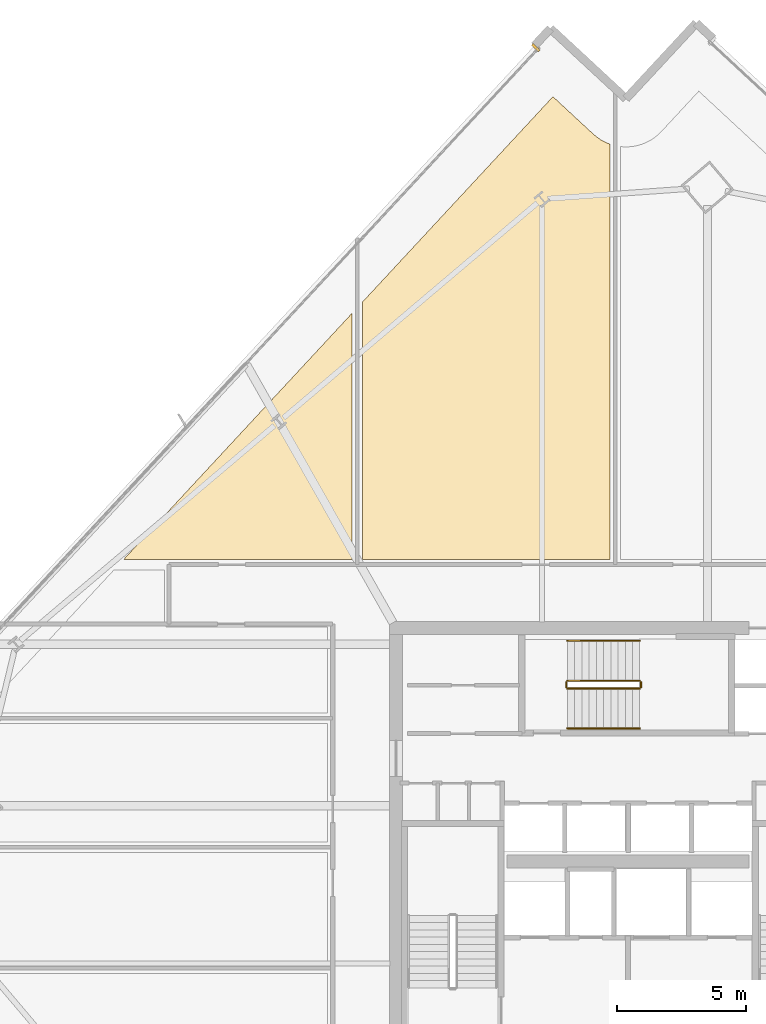
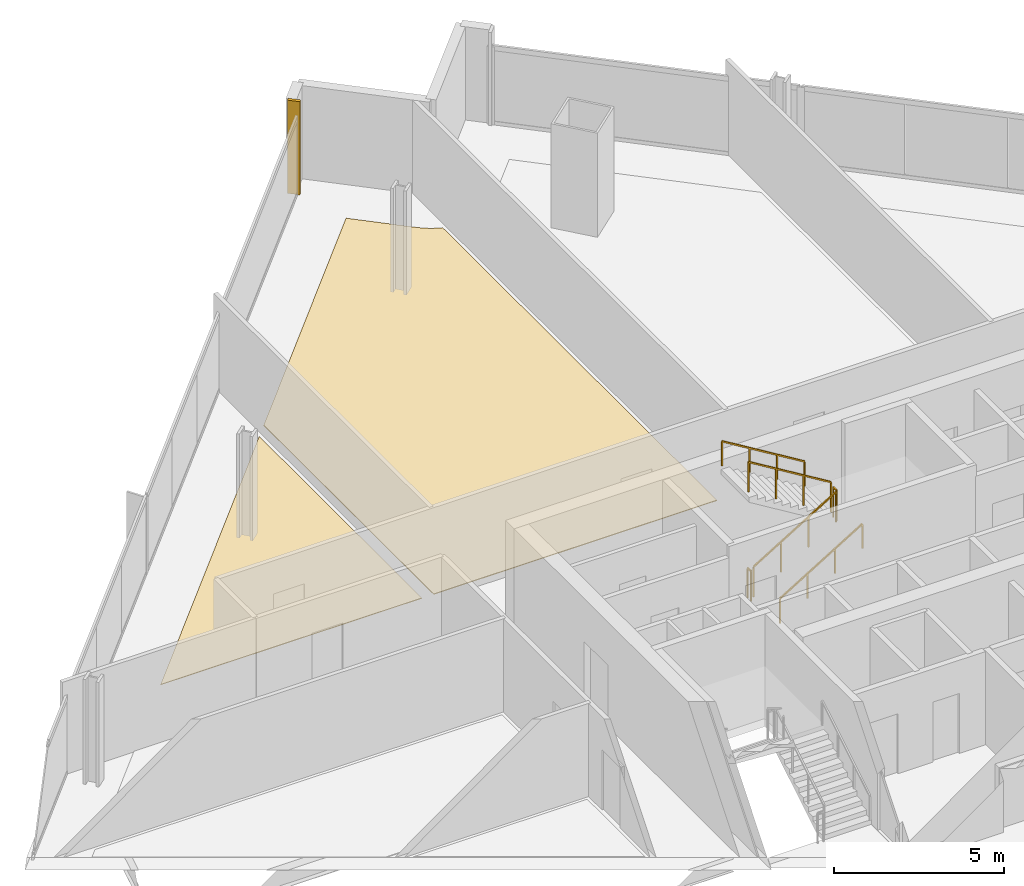
# One storey, part 31 of 32: 6 railings, 3 coverings.
"""IFC4 building model written with IfcOpenShell, lengths in metres."""

import ifcopenshell
import ifcopenshell.guid

model = None  # the IFC model being written
_history = None  # IfcOwnerHistory: only IFC2X3 demands one
_inside = {}  # id of a spatial element -> (the spatial element, [elements in it])
_under = {}  # id of a project, library or spatial element -> (it, [spatial elements below it])
_declared = {}  # id of a project -> (the project, [libraries it declares])
_typed = {}  # id of a type object -> (the type object, [elements of that type])
_made_of = {}  # id of a material, layer set ... -> (it, [elements and type objects made of it])


def new_model(schema):
    """Start an empty IFC model of exactly this schema.

    Asked for "IFC4X3", IfcOpenShell would pick the latest addendum, in which some entities
    have other attributes; the version numbers below select the first issue.
    IFC2X3 requires an IfcOwnerHistory on every rooted entity: one is made here for all.
    """
    global model, _history
    if schema == "IFC4X3":
        model = ifcopenshell.file(schema_version=(4, 3, 0, 0))
    else:
        model = ifcopenshell.file(schema=schema)
    _inside.clear()
    _under.clear()
    _declared.clear()
    _typed.clear()
    _made_of.clear()
    _history = None
    if model.schema == "IFC2X3":
        org = make("IfcOrganization", Name="unknown")
        user = make(
            "IfcPersonAndOrganization",
            ThePerson=make("IfcPerson", FamilyName="unknown"),
            TheOrganization=org,
        )
        app = make(
            "IfcApplication",
            ApplicationDeveloper=org,
            Version="unknown",
            ApplicationFullName="unknown",
            ApplicationIdentifier="unknown",
        )
        _history = make(
            "IfcOwnerHistory",
            OwningUser=user,
            OwningApplication=app,
            ChangeAction="ADDED",
            CreationDate=0,
        )
    return model


def make(cls, **values):
    """One entity of the class cls with the attributes given. An attribute that is None is left unset."""
    return model.create_entity(
        cls, **{name: value for name, value in values.items() if value is not None}
    )


def rooted(cls, **values):
    """An entity with a GlobalId (a new one), such as an element, a storey or a relation."""
    return make(cls, GlobalId=ifcopenshell.guid.new(), OwnerHistory=_history, **values)


def si_unit(unit_type, name, prefix=None):
    """IfcSIUnit, for example si_unit("LENGTHUNIT", "METRE", prefix="MILLI")."""
    return make("IfcSIUnit", UnitType=unit_type, Prefix=prefix, Name=name)


def assignment(units):
    """IfcUnitAssignment: the units of a project."""
    return None if units is None else make("IfcUnitAssignment", Units=units)


def point(xyz):
    """IfcCartesianPoint."""
    return None if xyz is None else make("IfcCartesianPoint", Coordinates=xyz)


def direction(xyz):
    """IfcDirection."""
    return None if xyz is None else make("IfcDirection", DirectionRatios=xyz)


def frame(location, z_axis=None, x_axis=None):
    """IfcAxis2Placement3D, a coordinate frame: its origin and axes. An axis left out is left unset."""
    return make(
        "IfcAxis2Placement3D",
        Location=point(location),
        Axis=direction(z_axis),
        RefDirection=direction(x_axis),
    )


def frame_2d(location, x_axis=None):
    """IfcAxis2Placement2D, a coordinate frame in the plane: its origin and x axis."""
    return make(
        "IfcAxis2Placement2D", Location=point(location), RefDirection=direction(x_axis)
    )


def origin():
    """The frame at (0, 0, 0) with its axes left unset."""
    return frame((0.0, 0.0, 0.0))


def origin_2d():
    """The frame at (0, 0) in the plane with its x axis left unset."""
    return frame_2d((0.0, 0.0))


def place(relative_to, where):
    """IfcLocalPlacement: puts the frame where relative to a parent placement (None: the world)."""
    return make(
        "IfcLocalPlacement", PlacementRelTo=relative_to, RelativePlacement=where
    )


def context(
    kind, dimensions, precision=None, world=None, true_north=None, identifier=None
):
    """IfcGeometricRepresentationContext, for example the 3D "Model" context."""
    return make(
        "IfcGeometricRepresentationContext",
        ContextIdentifier=identifier,
        ContextType=kind,
        CoordinateSpaceDimension=dimensions,
        Precision=precision,
        WorldCoordinateSystem=world,
        TrueNorth=true_north,
    )


def subcontext(parent, identifier, kind, view, scale=None):
    """IfcGeometricRepresentationSubContext, for example "Body" below "Model"."""
    return make(
        "IfcGeometricRepresentationSubContext",
        ContextIdentifier=identifier,
        ContextType=kind,
        ParentContext=parent,
        TargetScale=scale,
        TargetView=view,
    )


def project(units=None, contexts=None):
    """IfcProject with its units and contexts."""
    return rooted(
        "IfcProject",
        Name="project",
        RepresentationContexts=contexts,
        UnitsInContext=assignment(units),
    )


def spatial(cls, under=None, at=None, **own):
    """A site, building, storey or space (cls), placed at a placement, below another one or the project."""
    s = rooted(cls, ObjectPlacement=at, **own)
    if under is not None:
        _under.setdefault(under.id(), (under, []))[1].append(s)
    return s


def polyline(points):
    """IfcPolyline through the points."""
    return make("IfcPolyline", Points=[point(p) for p in points])


def profile(cls, at=None, kind="AREA", **sizes):
    """A parametric profile (cls). Its sizes go by their IFC names, for example OverallWidth=200.0."""
    return make(cls, ProfileType=kind, Position=at, **sizes)


def rectangle(**sizes):
    """IfcRectangleProfileDef."""
    return profile("IfcRectangleProfileDef", **sizes)


def outline(outer, holes=None, kind="AREA"):
    """IfcArbitraryClosedProfileDef: a profile drawn as a closed curve; with holes, ...WithVoids."""
    if holes is None:
        return make("IfcArbitraryClosedProfileDef", ProfileType=kind, OuterCurve=outer)
    return make(
        "IfcArbitraryProfileDefWithVoids",
        ProfileType=kind,
        OuterCurve=outer,
        InnerCurves=holes,
    )


def extrude(swept, where, along, depth):
    """IfcExtrudedAreaSolid: the profile swept, set in the frame where, extruded along a direction by depth."""
    return make(
        "IfcExtrudedAreaSolid",
        SweptArea=swept,
        Position=where,
        ExtrudedDirection=direction(along),
        Depth=depth,
    )


def shape(context_of_items, identifier, shape_type, items):
    """IfcShapeRepresentation: the items that make up one representation, for example the "Body"."""
    return make(
        "IfcShapeRepresentation",
        ContextOfItems=context_of_items,
        RepresentationIdentifier=identifier,
        RepresentationType=shape_type,
        Items=items,
    )


def source(mapping_origin, context_of_items, identifier, shape_type, items):
    """IfcRepresentationMap: a shape defined once, which mapped items show again and again."""
    return make(
        "IfcRepresentationMap",
        MappingOrigin=mapping_origin,
        MappedRepresentation=shape(context_of_items, identifier, shape_type, items),
    )


def transform(
    local_origin,
    x_axis=None,
    y_axis=None,
    z_axis=None,
    scale=None,
    scale2=None,
    scale3=None,
    uniform=True,
):
    """IfcCartesianTransformationOperator3D, or its non-uniform kind. x_axis, y_axis, z_axis: its Axis1, 2, 3."""
    if uniform:
        return make(
            "IfcCartesianTransformationOperator3D",
            Axis1=direction(x_axis),
            Axis2=direction(y_axis),
            LocalOrigin=point(local_origin),
            Scale=scale,
            Axis3=direction(z_axis),
        )
    return make(
        "IfcCartesianTransformationOperator3DnonUniform",
        Axis1=direction(x_axis),
        Axis2=direction(y_axis),
        LocalOrigin=point(local_origin),
        Scale=scale,
        Axis3=direction(z_axis),
        Scale2=scale2,
        Scale3=scale3,
    )


def mapped(mapping_source, mapping_target):
    """IfcMappedItem: shows the shape of a source again, moved by a transform."""
    return make(
        "IfcMappedItem", MappingSource=mapping_source, MappingTarget=mapping_target
    )


def material(Name=None, Category=None):
    """IfcMaterial."""
    return make("IfcMaterial", Name=Name, Category=Category)


def layer(
    of_material, thickness, ventilated=None, Name=None, Category=None, Priority=None
):
    """IfcMaterialLayer: one layer of a wall or slab, of a material (None: an air gap)."""
    return make(
        "IfcMaterialLayer",
        Material=of_material,
        LayerThickness=thickness,
        IsVentilated=ventilated,
        Name=Name,
        Category=Category,
        Priority=Priority,
    )


def layer_set(layers, Name=None):
    """IfcMaterialLayerSet."""
    return make("IfcMaterialLayerSet", MaterialLayers=layers, LayerSetName=Name)


def made_of(thing, what):
    """Note that an element or type object is made of a material, layer set ...; save() writes the relation."""
    if what is not None:
        _made_of.setdefault(what.id(), (what, []))[1].append(thing)
    return thing


def type_object(cls, material=None, **own):
    """A type object (cls), such as IfcWallType, which elements share."""
    return made_of(rooted(cls, **own), material)


def element(
    cls,
    number,
    at=None,
    inside=None,
    cuts=None,
    type_object=None,
    material=None,
    context=None,
    identifier="Body",
    shape_type=None,
    held_by="IfcProductDefinitionShape",
    body=None,
    shapes=None,
    **own,
):
    """One element of the class cls, such as IfcWall. Its Tag is "e" and its number.

    at: its placement. inside: the storey or other place that contains it. cuts: it is an
    opening in that element (IfcRelVoidsElement). A single representation is given by context,
    identifier, shape_type and body (its items); several are given by shapes. held_by: the class
    of the entity that holds the representations. save() writes the other relations.
    """
    e = rooted(cls, Tag="e%d" % number, ObjectPlacement=at, **own)
    if body is not None:
        shapes = [shape(context, identifier, shape_type, body)]
    if shapes is not None:
        e.Representation = make(held_by, Representations=shapes)
    if inside is not None:
        _inside.setdefault(inside.id(), (inside, []))[1].append(e)
    if cuts is not None:
        rooted(
            "IfcRelVoidsElement", RelatingBuildingElement=cuts, RelatedOpeningElement=e
        )
    if type_object is not None:
        _typed.setdefault(type_object.id(), (type_object, []))[1].append(e)
    return made_of(e, material)


def aggregate(whole, parts):
    """IfcRelAggregates: a whole, such as a stair, and the parts it consists of."""
    return rooted("IfcRelAggregates", RelatingObject=whole, RelatedObjects=parts)


def save(model, path):
    """Write the relations noted so far, then the file.

    IfcRelAggregates (storeys below a building ...), IfcRelContainedInSpatialStructure (elements
    in a storey), IfcRelDefinesByType, IfcRelAssociatesMaterial and IfcRelDeclares: one each for
    every whole, place, type object, material and project.
    """
    for whole, parts in _under.values():
        aggregate(whole, parts)
    for where, things in _inside.values():
        rooted(
            "IfcRelContainedInSpatialStructure",
            RelatedElements=things,
            RelatingStructure=where,
        )
    for kind, things in _typed.values():
        rooted("IfcRelDefinesByType", RelatedObjects=things, RelatingType=kind)
    for what, things in _made_of.values():
        rooted("IfcRelAssociatesMaterial", RelatedObjects=things, RelatingMaterial=what)
    for by, libraries in _declared.values():
        rooted("IfcRelDeclares", RelatingContext=by, RelatedDefinitions=libraries)
    model.write(path)


model = new_model("IFC4")

# Units and contexts
model_context = context("Model", 3, precision=1e-05, world=origin(), true_north=direction((0.0, 1.0)))
body_context = subcontext(model_context, "Body", "Model", "MODEL_VIEW")
ifc_project = project(units=[si_unit("LENGTHUNIT", "METRE"), si_unit("AREAUNIT", "SQUARE_METRE"), si_unit("VOLUMEUNIT", "CUBIC_METRE"), si_unit("PLANEANGLEUNIT", "RADIAN"), si_unit("MASSUNIT", "GRAM", prefix="KILO")], contexts=[model_context])

# Site, building, storey
site_placement = place(None, origin())
site = spatial("IfcSite", under=ifc_project, at=site_placement, CompositionType="ELEMENT")
building_placement = place(site_placement, origin())
building = spatial("IfcBuilding", under=site, at=building_placement, Name="Haldenkirk Collegiate Tower", CompositionType="ELEMENT")
storey_placement = place(building_placement, frame((0.0, 0.0, 185.699951171875)))
storey = spatial("IfcBuildingStorey", under=building, at=storey_placement, Name="L46", CompositionType="ELEMENT", Elevation=185.699951171875)

# Coverings
ifc_material_1 = material(Name="Polished collegiate terrazzo", Category="concrete")
ifc_layer_1 = layer(ifc_material_1, 0.02490234375)
ifc_layer_set_1 = layer_set([ifc_layer_1], Name="Polished collegiate terrazzo")
covering_type_1 = type_object("IfcCoveringType", Name="COV-FLOOR-TERRAZZO", PredefinedType="FLOORING", material=ifc_layer_set_1)
covering_1_placement = place(storey_placement, origin())
element("IfcCovering", 1, at=covering_1_placement, inside=storey, type_object=covering_type_1, Name="L46 academic room finish 04", PredefinedType="FLOORING", context=body_context, shape_type="SweptSolid", body=[
    extrude(outline(polyline([(34.6484375, 53.142578125), (34.65283203125, 53.138671875), (34.784423828125, 53.028076171875), (34.793701171875, 53.02099609375), (34.935302734375, 52.924072265625), (34.9453125, 52.917724609375), (35.095947265625, 52.835205078125), (35.1064453125, 52.830078125), (35.264404296875, 52.762451171875), (35.275390625, 52.75830078125), (35.300048828125, 52.75048828125), (35.300048828125, 36.64990234375), (25.699951171875, 36.64990234375), (25.699951171875, 46.6279296875), (33.0869140625, 54.591064453125), (34.6484375, 53.142578125)])), origin(), (0.0, 0.0, 1.0), 0.025146484375),
])
ifc_material_2 = material(Name="Engineered collegiate oak acoustic flooring", Category="wood")
ifc_layer_2 = layer(ifc_material_2, 0.02197265625)
ifc_layer_set_2 = layer_set([ifc_layer_2], Name="Engineered collegiate oak acoustic flooring")
covering_type_2 = type_object("IfcCoveringType", Name="COV-FLOOR-TIMBER", PredefinedType="FLOORING", material=ifc_layer_set_2)
covering_2_placement = place(storey_placement, origin())
element("IfcCovering", 2, at=covering_2_placement, inside=storey, type_object=covering_type_2, Name="L46 academic room finish 03", PredefinedType="FLOORING", context=body_context, shape_type="SweptSolid", body=[
    extrude(outline(polyline([(25.300048828125, 46.19677734375), (25.300048828125, 36.64990234375), (16.444091796875, 36.64990234375), (25.300048828125, 46.19677734375)])), origin(), (0.0, 0.0, 1.0), 0.02197265625),
])

# Railings
ifc_material_3 = material(Name="Painted architectural tubular steel", Category="steel")
railing_type_1 = type_object("IfcRailingType", Name="RLG-STAIR-GUARD-1100", PredefinedType="BALUSTRADE", material=ifc_material_3)
railing_1_placement = place(storey_placement, frame((33.64990234375, 31.64990234375, 0.17041015625)))
element("IfcRailing", 3, at=railing_1_placement, inside=storey, type_object=railing_type_1, Name="L46 ST-3 stair guard 1", PredefinedType="BALUSTRADE", context=body_context, shape_type="SweptSolid", body=[
    extrude(rectangle(XDim=0.048095703125, YDim=0.048095703125, at=origin_2d()), frame((0.0, 0.0, 1.076171875), z_axis=(0.854169791009, 0.0, 0.51999420009), x_axis=(0.0, 1.0, 0.0)), (0.0, 0.0, 1.0), 3.278076171875),
    extrude(rectangle(XDim=0.0419921875, YDim=0.0419921875, at=origin_2d()), origin(), (0.0, 0.0, 1.0), 1.052001953125),
    extrude(rectangle(XDim=0.0419921875, YDim=0.0419921875, at=origin_2d()), frame((0.933349609375, 0.0, 0.568115234375)), (0.0, 0.0, 1.0), 1.052001953125),
    extrude(rectangle(XDim=0.0419921875, YDim=0.0419921875, at=origin_2d()), frame((1.86669921875, 0.0, 1.136474609375)), (0.0, 0.0, 1.0), 1.052001953125),
    extrude(rectangle(XDim=0.0419921875, YDim=0.0419921875, at=origin_2d()), frame((2.800048828125, 0.0, 1.70458984375)), (0.0, 0.0, 1.0), 1.052001953125),
])
railing_2_placement = place(storey_placement, frame((36.5, 31.699951171875, 1.875)))
element("IfcRailing", 4, at=railing_2_placement, inside=storey, type_object=railing_type_1, Name="L46 ST-3 stair guard 2", PredefinedType="BALUSTRADE", context=body_context, shape_type="SweptSolid", body=[
    extrude(rectangle(XDim=0.048095703125, YDim=0.048095703125, at=origin_2d()), frame((0.0, 0.0, 1.076171875), z_axis=(0.0, 1.0, 0.0), x_axis=(-1.0, 0.0, 0.0)), (0.0, 0.0, 1.0), 0.199951171875),
    extrude(rectangle(XDim=0.0419921875, YDim=0.0419921875, at=origin_2d()), origin(), (0.0, 0.0, 1.0), 1.052001953125),
    extrude(rectangle(XDim=0.0419921875, YDim=0.0419921875, at=origin_2d()), frame((0.0, 0.199951171875, 0.0)), (0.0, 0.0, 1.0), 1.052001953125),
])
railing_3_placement = place(storey_placement, frame((36.449951171875, 31.949951171875, 2.04541015625)))
element("IfcRailing", 5, at=railing_3_placement, inside=storey, type_object=railing_type_1, Name="L46 ST-3 stair guard 3", PredefinedType="BALUSTRADE", context=body_context, shape_type="SweptSolid", body=[
    extrude(rectangle(XDim=0.048095703125, YDim=0.048095703125, at=origin_2d()), frame((0.0, 0.0, 1.076171875), z_axis=(-0.854169791009, 0.0, 0.51999420009), x_axis=(0.0, -1.0, 0.0)), (0.0, 0.0, 1.0), 3.278076171875),
    extrude(rectangle(XDim=0.0419921875, YDim=0.0419921875, at=origin_2d()), origin(), (0.0, 0.0, 1.0), 1.052001953125),
    extrude(rectangle(XDim=0.0419921875, YDim=0.0419921875, at=origin_2d()), frame((-0.933349609375, 0.0, 0.568115234375)), (0.0, 0.0, 1.0), 1.052001953125),
    extrude(rectangle(XDim=0.0419921875, YDim=0.0419921875, at=origin_2d()), frame((-1.86669921875, 0.0, 1.136474609375)), (0.0, 0.0, 1.0), 1.052001953125),
    extrude(rectangle(XDim=0.0419921875, YDim=0.0419921875, at=origin_2d()), frame((-2.800048828125, 0.0, 1.70458984375)), (0.0, 0.0, 1.0), 1.052001953125),
])
railing_4_placement = place(storey_placement, frame((33.60009765625, 31.699951171875, 0.0)))
element("IfcRailing", 6, at=railing_4_placement, inside=storey, type_object=railing_type_1, Name="L46 ST-3 stair guard 4", PredefinedType="BALUSTRADE", context=body_context, shape_type="SweptSolid", body=[
    extrude(rectangle(XDim=0.048095703125, YDim=0.048095703125, at=origin_2d()), frame((0.0, 0.0, 1.076171875), z_axis=(0.0, 1.0, 0.0), x_axis=(-1.0, 0.0, 0.0)), (0.0, 0.0, 1.0), 0.199951171875),
    extrude(rectangle(XDim=0.0419921875, YDim=0.0419921875, at=origin_2d()), origin(), (0.0, 0.0, 1.0), 1.052001953125),
    extrude(rectangle(XDim=0.0419921875, YDim=0.0419921875, at=origin_2d()), frame((0.0, 0.199951171875, 0.0)), (0.0, 0.0, 1.0), 1.052001953125),
])
railing_type_2 = type_object("IfcRailingType", Name="RLG-STAIR-HANDRAIL-900", PredefinedType="HANDRAIL", material=ifc_material_3)
railing_5_placement = place(storey_placement, frame((33.64990234375, 30.10009765625, 0.17041015625)))
element("IfcRailing", 7, at=railing_5_placement, inside=storey, type_object=railing_type_2, Name="L46 ST-3 stair handrail 1", PredefinedType="HANDRAIL", context=body_context, shape_type="SweptSolid", body=[
    extrude(rectangle(XDim=0.048095703125, YDim=0.048095703125, at=origin_2d()), frame((0.0, 0.0, 0.8759765625), z_axis=(0.854169791009, 0.0, 0.51999420009), x_axis=(0.0, 1.0, 0.0)), (0.0, 0.0, 1.0), 3.278076171875),
    extrude(rectangle(XDim=0.0419921875, YDim=0.0419921875, at=origin_2d()), origin(), (0.0, 0.0, 1.0), 0.851806640625),
    extrude(rectangle(XDim=0.0419921875, YDim=0.0419921875, at=origin_2d()), frame((0.933349609375, 0.0, 0.568115234375)), (0.0, 0.0, 1.0), 0.851806640625),
    extrude(rectangle(XDim=0.0419921875, YDim=0.0419921875, at=origin_2d()), frame((1.86669921875, 0.0, 1.136474609375)), (0.0, 0.0, 1.0), 0.851806640625),
    extrude(rectangle(XDim=0.0419921875, YDim=0.0419921875, at=origin_2d()), frame((2.800048828125, 0.0, 1.70458984375)), (0.0, 0.0, 1.0), 0.851806640625),
])
railing_6_placement = place(storey_placement, frame((36.449951171875, 33.5, 2.04541015625)))
element("IfcRailing", 8, at=railing_6_placement, inside=storey, type_object=railing_type_2, Name="L46 ST-3 stair handrail 2", PredefinedType="HANDRAIL", context=body_context, shape_type="SweptSolid", body=[
    extrude(rectangle(XDim=0.048095703125, YDim=0.048095703125, at=origin_2d()), frame((0.0, 0.0, 0.8759765625), z_axis=(-0.854169791009, 0.0, 0.51999420009), x_axis=(0.0, -1.0, 0.0)), (0.0, 0.0, 1.0), 3.278076171875),
    extrude(rectangle(XDim=0.0419921875, YDim=0.0419921875, at=origin_2d()), origin(), (0.0, 0.0, 1.0), 0.851806640625),
    extrude(rectangle(XDim=0.0419921875, YDim=0.0419921875, at=origin_2d()), frame((-0.933349609375, 0.0, 0.568115234375)), (0.0, 0.0, 1.0), 0.851806640625),
    extrude(rectangle(XDim=0.0419921875, YDim=0.0419921875, at=origin_2d()), frame((-1.86669921875, 0.0, 1.136474609375)), (0.0, 0.0, 1.0), 0.851806640625),
    extrude(rectangle(XDim=0.0419921875, YDim=0.0419921875, at=origin_2d()), frame((-2.800048828125, 0.0, 1.70458984375)), (0.0, 0.0, 1.0), 0.851806640625),
])

# Covering
ifc_material_4 = material(Name="Anodised architectural bronze aluminium", Category="aluminium")
ifc_layer_3 = layer(ifc_material_4, 0.06005859375)
ifc_layer_set_3 = layer_set([ifc_layer_3], Name="Anodised architectural bronze aluminium")
covering_type_3 = type_object("IfcCoveringType", Name="COV-CLAD-BRONZE-60", PredefinedType="CLADDING", material=ifc_layer_set_3)
shared_shape = source(origin(), body_context, "Body", "SweptSolid", [
    extrude(rectangle(XDim=0.10009765625, YDim=0.3798828125, at=origin_2d()), origin(), (0.0, 0.0, 1.0), 3.340087890625),
])
covering_3_placement = place(storey_placement, frame((32.421142578125, 56.49072265625, 0.0), z_axis=(0.0, 0.0, 1.0), x_axis=(0.680081345566, 0.733136660803, 0.0)))
element("IfcCovering", 9, at=covering_3_placement, inside=storey, type_object=covering_type_3, Name="L46 recessed curtain-wall bronze jamb closure NJR", PredefinedType="CLADDING", context=body_context, shape_type="MappedRepresentation", body=[
    mapped(shared_shape, transform((0.0, 0.0, 0.0), x_axis=(1.0, 0.0, 0.0), y_axis=(0.0, 1.0, 0.0), z_axis=(0.0, 0.0, 1.0), scale=1.0)),
])

save(model, "model.ifc")
